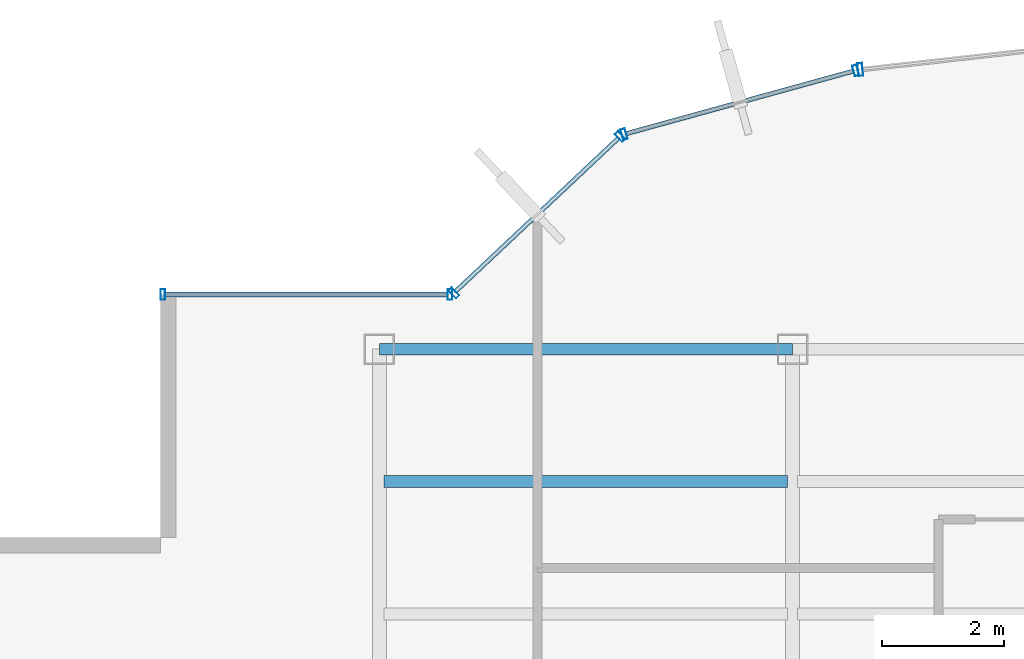
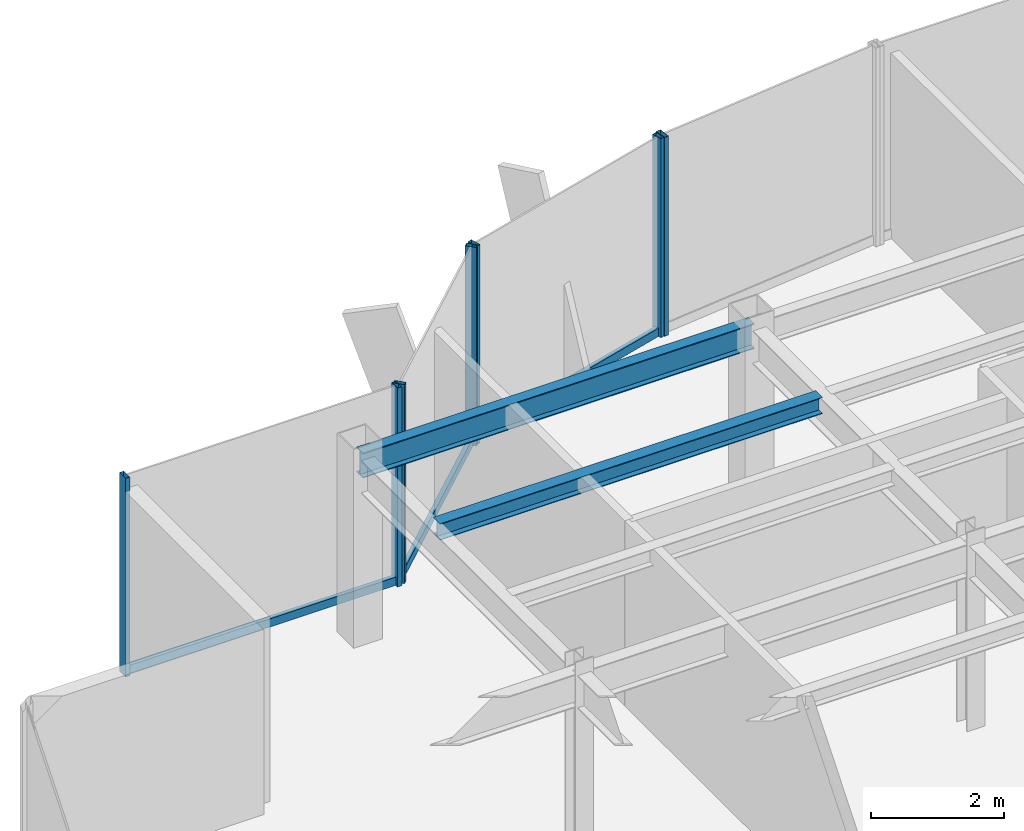
# One storey, part 12 of 22: 10 members, 2 beams, 4 elements without a shape of their own.
"""IFC4 building model written with IfcOpenShell, lengths in metres."""

from ifc_helpers import new_model, si_unit, derived_unit, direction, frame, origin, origin_2d, place, context, subcontext, project, spatial, hollow_rectangle, i_section, extrude, source, transform, mapped, material, material_profile, profile_set, type_object, element, aggregate, save


model = new_model("IFC4")

# Units and contexts
model_context = context("Model", 3, precision=1e-05, world=origin(), true_north=direction((0.0, 1.0)))
body_context = subcontext(model_context, "Body", "Model", "MODEL_VIEW")
ifc_project = project(units=[si_unit("LENGTHUNIT", "METRE"), si_unit("AREAUNIT", "SQUARE_METRE"), si_unit("VOLUMEUNIT", "CUBIC_METRE"), si_unit("PLANEANGLEUNIT", "RADIAN"), si_unit("MASSUNIT", "GRAM", prefix="KILO"), derived_unit("THERMALTRANSMITTANCEUNIT", [(si_unit("POWERUNIT", "WATT"), 1), (si_unit("LENGTHUNIT", "METRE"), -2), (si_unit("THERMODYNAMICTEMPERATUREUNIT", "KELVIN"), -1)])], contexts=[model_context])

# Site, building, storey
site_placement = place(None, origin())
site = spatial("IfcSite", under=ifc_project, at=site_placement, CompositionType="ELEMENT")
building_placement = place(site_placement, origin())
building = spatial("IfcBuilding", under=site, at=building_placement, Name="Skarnbrae Concourse Arena and Tower", CompositionType="ELEMENT")
storey_placement = place(building_placement, frame((0.0, 0.0, 269.75)))
storey = spatial("IfcBuildingStorey", under=building, at=storey_placement, Name="L70", CompositionType="ELEMENT", Elevation=269.75)

# Beams
ifc_material_1 = material(Name="Steel CSA G40.21 350W", Category="steel")
ifc_material_profile_1 = material_profile(ifc_material_1, i_section(OverallWidth=0.19091796875, OverallDepth=0.4599609375, WebThickness=0.010009765625, FlangeThickness=0.01611328125, at=origin_2d()), Name="W460X82")
ifc_profile_set_1 = profile_set([ifc_material_profile_1], Name="Steel CSA G40.21 350W")
beam_type_1 = type_object("IfcBeamType", Name="BM-SPAN-W460X82", PredefinedType="SPANDREL", material=ifc_profile_set_1)
shared_shape_1 = source(origin(), body_context, "Body", "SweptSolid", [
    extrude(i_section(OverallWidth=0.19091796875, OverallDepth=0.4599609375, WebThickness=0.010009765625, FlangeThickness=0.01611328125, at=origin_2d()), origin(), (0.0, 0.0, 1.0), 6.7998046875),
])
beam_1_placement = place(storey_placement, frame((7.60009765625, 34.39990234375, 3.169921875), z_axis=(1.0, 0.0, 0.0), x_axis=(0.0, 1.0, 0.0)))
element("IfcBeam", 1, at=beam_1_placement, inside=storey, type_object=beam_type_1, Name="L70 Perimeter spandrel Y34.4-1", PredefinedType="SPANDREL", context=body_context, shape_type="MappedRepresentation", body=[
    mapped(shared_shape_1, transform((0.0, 0.0, 0.0))),
])
ifc_material_profile_2 = material_profile(ifc_material_1, i_section(OverallWidth=0.202880859375, OverallDepth=0.302978515625, WebThickness=0.007568359375, FlangeThickness=0.01318359375, at=origin_2d()), Name="W310X60")
ifc_profile_set_2 = profile_set([ifc_material_profile_2], Name="Steel CSA G40.21 350W")
beam_type_2 = type_object("IfcBeamType", Name="BM-JOIST-W310X60", PredefinedType="JOIST", material=ifc_profile_set_2)
shared_shape_2 = source(origin(), body_context, "Body", "SweptSolid", [
    extrude(i_section(OverallWidth=0.202880859375, OverallDepth=0.302978515625, WebThickness=0.007568359375, FlangeThickness=0.01318359375, at=origin_2d()), origin(), (0.0, 0.0, 1.0), 6.64013671875),
])
beam_2_placement = place(storey_placement, frame((7.679931640625, 32.221923828125, 3.24853515625), z_axis=(1.0, 0.0, 0.0), x_axis=(0.0, 1.0, 0.0)))
element("IfcBeam", 2, at=beam_2_placement, inside=storey, type_object=beam_type_2, Name="L70 Secondary floor joist 3.2.1", PredefinedType="JOIST", context=body_context, shape_type="MappedRepresentation", body=[
    mapped(shared_shape_2, transform((0.0, 0.0, 0.0))),
])

# Curtain wall, member
ifc_material_2 = material(Name="Bronze anodised aluminium 6063-T6", Category="aluminium")
curtain_wall_type_1 = type_object("IfcCurtainWallType", Name="CW-SYS-03-PORTAL", PredefinedType="USERDEFINED", material=ifc_material_2)
curtain_wall_1_placement = place(storey_placement, origin())
curtain_wall_1 = element("IfcCurtainWall", 3, at=curtain_wall_1_placement, inside=storey, type_object=curtain_wall_type_1, Name="L70 Unitised curtain wall CW-L70-E12", ObjectType="UNITISED CURTAIN WALL", PredefinedType="USERDEFINED")
ifc_material_profile_3 = material_profile(ifc_material_2, hollow_rectangle(XDim=0.080078125, YDim=0.2099609375, WallThickness=0.00439453125, at=origin_2d()), Name="ALU-MULL-80X210")
ifc_profile_set_3 = profile_set([ifc_material_profile_3], Name="Bronze anodised aluminium 6063-T6")
member_type_1 = type_object("IfcMemberType", Name="CWM-CW-03", PredefinedType="MULLION", material=ifc_profile_set_3)
shared_shape_3 = source(origin(), body_context, "Body", "SweptSolid", [
    extrude(hollow_rectangle(XDim=0.080078125, YDim=0.2099609375, WallThickness=0.00439453125, at=origin_2d()), origin(), (0.0, 0.0, 1.0), 3.64990234375),
])
member_1_placement = place(storey_placement, frame((15.513916015625, 39.001708984375, 0.0), z_axis=(0.0, 0.0, 1.0), x_axis=(-0.993768891873, -0.111460259941, 0.0)))
member_1 = element("IfcMember", 4, at=member_1_placement, type_object=member_type_1, Name="CW-L70-E12 Mullion 2", PredefinedType="MULLION", context=body_context, shape_type="MappedRepresentation", body=[
    mapped(shared_shape_3, transform((0.0, 0.0, 0.0))),
])
aggregate(curtain_wall_1, [member_1])

# Curtain wall, members
curtain_wall_type_2 = type_object("IfcCurtainWallType", Name="CW-SYS-05-HIGHZONE", PredefinedType="USERDEFINED", material=ifc_material_2)
curtain_wall_2_placement = place(storey_placement, origin())
curtain_wall_2 = element("IfcCurtainWall", 5, at=curtain_wall_2_placement, inside=storey, type_object=curtain_wall_type_2, Name="L70 Unitised curtain wall CW-L70-E13", ObjectType="UNITISED CURTAIN WALL", PredefinedType="USERDEFINED")
ifc_material_profile_4 = material_profile(ifc_material_2, hollow_rectangle(XDim=0.074951171875, YDim=0.179931640625, WallThickness=0.00390625, at=origin_2d()), Name="ALU-MULL-75X180")
ifc_profile_set_4 = profile_set([ifc_material_profile_4], Name="Bronze anodised aluminium 6063-T6")
member_type_2 = type_object("IfcMemberType", Name="CWM-CW-05", PredefinedType="MULLION", material=ifc_profile_set_4)
shared_shape_4 = source(origin(), body_context, "Body", "SweptSolid", [
    extrude(hollow_rectangle(XDim=0.074951171875, YDim=0.179931640625, WallThickness=0.00390625, at=origin_2d()), origin(), (0.0, 0.0, 1.0), 3.64990234375),
])
member_2_placement = place(storey_placement, frame((15.43798828125, 38.987060546875, 0.0), z_axis=(0.0, 0.0, 1.0), x_axis=(-0.964057388766, -0.265694093207, 0.0)))
member_2 = element("IfcMember", 6, at=member_2_placement, type_object=member_type_2, Name="CW-L70-E13 Mullion 1", PredefinedType="MULLION", context=body_context, shape_type="MappedRepresentation", body=[
    mapped(shared_shape_4, transform((0.0, 0.0, 0.0))),
])
member_3_placement = place(storey_placement, frame((11.62646484375, 37.936767578125, 0.0), z_axis=(0.0, 0.0, 1.0), x_axis=(-0.964057388766, -0.265694093207, 0.0)))
member_3 = element("IfcMember", 7, at=member_3_placement, type_object=member_type_2, Name="CW-L70-E13 Mullion 2", PredefinedType="MULLION", context=body_context, shape_type="MappedRepresentation", body=[
    mapped(shared_shape_4, transform((0.0, 0.0, 0.0))),
])

curtain_wall_3_placement = place(storey_placement, origin())
curtain_wall_3 = element("IfcCurtainWall", 8, at=curtain_wall_3_placement, inside=storey, type_object=curtain_wall_type_2, Name="L70 Unitised curtain wall CW-L70-E14", ObjectType="UNITISED CURTAIN WALL", PredefinedType="USERDEFINED")
member_4_placement = place(storey_placement, frame((11.56298828125, 37.90087890625, 0.0), z_axis=(0.0, 0.0, 1.0), x_axis=(-0.728130555214, -0.685438468838, 0.0)))
member_4 = element("IfcMember", 9, at=member_4_placement, type_object=member_type_2, Name="CW-L70-E14 Mullion 1", PredefinedType="MULLION", context=body_context, shape_type="MappedRepresentation", body=[
    mapped(shared_shape_4, transform((0.0, 0.0, 0.0))),
])
member_5_placement = place(storey_placement, frame((8.827392578125, 35.32568359375, 0.0), z_axis=(0.0, 0.0, 1.0), x_axis=(-0.728130555214, -0.685438468838, 0.0)))
member_5 = element("IfcMember", 10, at=member_5_placement, type_object=member_type_2, Name="CW-L70-E14 Mullion 2", PredefinedType="MULLION", context=body_context, shape_type="MappedRepresentation", body=[
    mapped(shared_shape_4, transform((0.0, 0.0, 0.0))),
])

curtain_wall_4_placement = place(storey_placement, origin())
curtain_wall_4 = element("IfcCurtainWall", 11, at=curtain_wall_4_placement, inside=storey, type_object=curtain_wall_type_2, Name="L70 Unitised curtain wall CW-L70-E15", ObjectType="UNITISED CURTAIN WALL", PredefinedType="USERDEFINED")
member_6_placement = place(storey_placement, frame((8.762451171875, 35.300048828125, 0.0), z_axis=(0.0, 0.0, 1.0), x_axis=(-1.0, 0.0, 0.0)))
member_6 = element("IfcMember", 12, at=member_6_placement, type_object=member_type_2, Name="CW-L70-E15 Mullion 1", PredefinedType="MULLION", context=body_context, shape_type="MappedRepresentation", body=[
    mapped(shared_shape_4, transform((0.0, 0.0, 0.0))),
])
member_7_placement = place(storey_placement, frame((4.03759765625, 35.300048828125, 0.0), z_axis=(0.0, 0.0, 1.0), x_axis=(-1.0, 0.0, 0.0)))
member_7 = element("IfcMember", 13, at=member_7_placement, type_object=member_type_2, Name="CW-L70-E15 Mullion 2", PredefinedType="MULLION", context=body_context, shape_type="MappedRepresentation", body=[
    mapped(shared_shape_4, transform((0.0, 0.0, 0.0))),
])
ifc_material_profile_5 = material_profile(ifc_material_2, hollow_rectangle(XDim=0.074951171875, YDim=0.14990234375, WallThickness=0.00390625, at=origin_2d()), Name="ALU-TRAN-75X150")
ifc_profile_set_5 = profile_set([ifc_material_profile_5], Name="Bronze anodised aluminium 6063-T6")
member_type_3 = type_object("IfcMemberType", Name="CWT-CW-05", PredefinedType="USERDEFINED", material=ifc_profile_set_5)
shared_shape_5 = source(origin(), body_context, "Body", "SweptSolid", [
    extrude(hollow_rectangle(XDim=0.074951171875, YDim=0.14990234375, WallThickness=0.00390625, at=origin_2d()), origin(), (0.0, 0.0, 1.0), 4.650146484375),
])
member_8_placement = place(storey_placement, frame((8.72509765625, 35.300048828125, 0.074951171875), z_axis=(-1.0, 0.0, 0.0), x_axis=(0.0, -1.0, 0.0)))
member_8 = element("IfcMember", 14, at=member_8_placement, type_object=member_type_3, Name="CW-L70-E15 Transom 1", ObjectType="TRANSOM", PredefinedType="USERDEFINED", context=body_context, shape_type="MappedRepresentation", body=[
    mapped(shared_shape_5, transform((0.0, 0.0, 0.0))),
])
aggregate(curtain_wall_4, [member_6, member_7, member_8])

# Member
shared_shape_6 = source(origin(), body_context, "Body", "SweptSolid", [
    extrude(hollow_rectangle(XDim=0.074951171875, YDim=0.14990234375, WallThickness=0.00390625, at=origin_2d()), origin(), (0.0, 0.0, 1.0), 3.68212890625),
])
member_9_placement = place(storey_placement, frame((11.53564453125, 37.875244140625, 0.074951171875), z_axis=(-0.728133808476, -0.685435012933, 0.0), x_axis=(0.685435012933, -0.728133808476, 0.0)))
member_9 = element("IfcMember", 15, at=member_9_placement, type_object=member_type_3, Name="CW-L70-E14 Transom 1", ObjectType="TRANSOM", PredefinedType="USERDEFINED", context=body_context, shape_type="MappedRepresentation", body=[
    mapped(shared_shape_6, transform((0.0, 0.0, 0.0))),
])

aggregate(curtain_wall_3, [member_4, member_5, member_9])

shared_shape_7 = source(origin(), body_context, "Body", "SweptSolid", [
    extrude(hollow_rectangle(XDim=0.074951171875, YDim=0.14990234375, WallThickness=0.00390625, at=origin_2d()), origin(), (0.0, 0.0, 1.0), 3.878662109375),
])
member_10_placement = place(storey_placement, frame((15.40185546875, 38.977294921875, 0.074951171875), z_axis=(-0.964042677713, -0.265747465742, 0.0), x_axis=(0.265747465742, -0.964042677713, 0.0)))
member_10 = element("IfcMember", 16, at=member_10_placement, type_object=member_type_3, Name="CW-L70-E13 Transom 1", ObjectType="TRANSOM", PredefinedType="USERDEFINED", context=body_context, shape_type="MappedRepresentation", body=[
    mapped(shared_shape_7, transform((0.0, 0.0, 0.0))),
])

aggregate(curtain_wall_2, [member_2, member_3, member_10])

save(model, "model.ifc")
